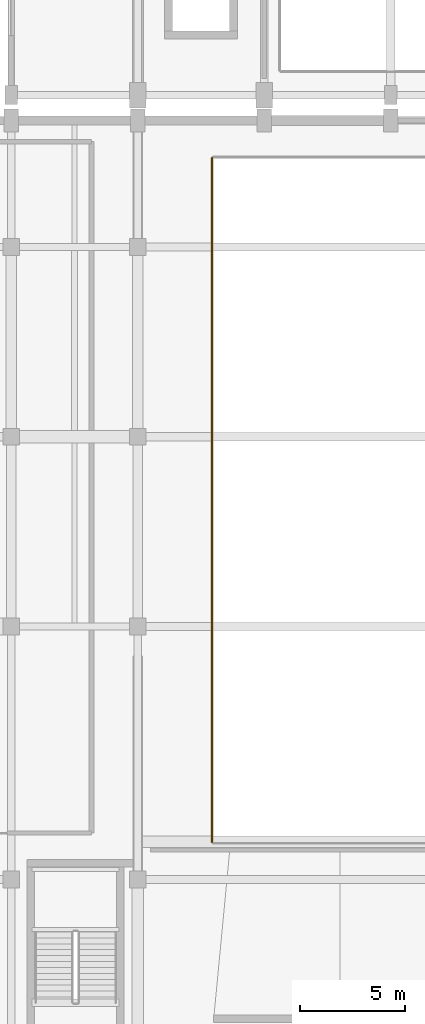
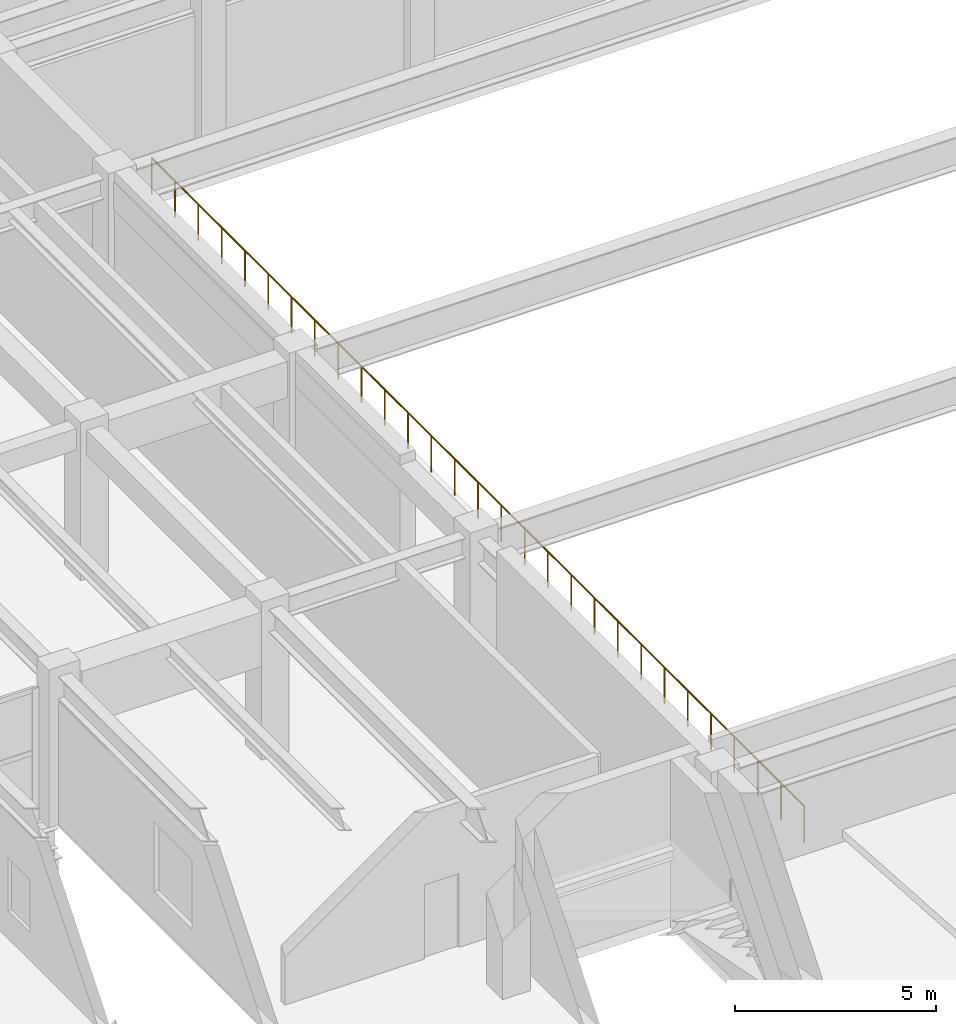
# One storey, part 89 of 96: 1 railing.
"""IFC4 building model written with IfcOpenShell, lengths in metres."""

from ifc_helpers import new_model, si_unit, direction, frame, origin, origin_2d, place, context, subcontext, project, spatial, circle, extrude, material, type_object, element, save


model = new_model("IFC4")

# Units and contexts
model_context = context("Model", 3, precision=1e-05, world=origin(), true_north=direction((0.0, 1.0)))
body_context = subcontext(model_context, "Body", "Model", "MODEL_VIEW")
ifc_project = project(units=[si_unit("LENGTHUNIT", "METRE"), si_unit("AREAUNIT", "SQUARE_METRE"), si_unit("VOLUMEUNIT", "CUBIC_METRE"), si_unit("PLANEANGLEUNIT", "RADIAN"), si_unit("MASSUNIT", "GRAM", prefix="KILO")], contexts=[model_context])

# Site, building, storey
site_placement = place(None, origin())
site = spatial("IfcSite", under=ifc_project, at=site_placement, CompositionType="ELEMENT")
building_placement = place(site_placement, origin())
building = spatial("IfcBuilding", under=site, at=building_placement, Name="Vaelkrest Opera House", CompositionType="ELEMENT")
storey_placement = place(building_placement, frame((0.0, 0.0, 5.39990234375)))
storey = spatial("IfcBuildingStorey", under=building, at=storey_placement, Name="L01", CompositionType="ELEMENT", Elevation=5.39990234375)

# Railing
ifc_material = material(Name="Dark bronze anodized aluminium", Category="aluminium")
railing_type = type_object("IfcRailingType", Name="BL01", PredefinedType="BALUSTRADE", material=ifc_material)
railing_placement = place(storey_placement, frame((-14.47998046875, 14.43994140625, 0.0)))
element("IfcRailing", 1, at=railing_placement, inside=storey, type_object=railing_type, Name="Atrium/stage void guard V1 L01-1 seg 4", PredefinedType="BALUSTRADE", context=body_context, shape_type="SweptSolid", body=[
    extrude(circle(Radius=0.02392578125, at=origin_2d()), frame((0.0, 0.0, 1.09619140625), z_axis=(0.0, -1.0, 0.0), x_axis=(1.0, 0.0, 0.0)), (0.0, 0.0, 1.0), 32.47998046875),
    extrude(circle(Radius=0.02099609375, at=origin_2d()), origin(), (0.0, 0.0, 1.0), 1.072021484375),
    extrude(circle(Radius=0.02099609375, at=origin_2d()), frame((0.0, -1.159912109375, 0.0)), (0.0, 0.0, 1.0), 1.072021484375),
    extrude(circle(Radius=0.02099609375, at=origin_2d()), frame((0.0, -2.320068359375, 0.0)), (0.0, 0.0, 1.0), 1.072021484375),
    extrude(circle(Radius=0.02099609375, at=origin_2d()), frame((0.0, -3.47998046875, 0.0)), (0.0, 0.0, 1.0), 1.072021484375),
    extrude(circle(Radius=0.02099609375, at=origin_2d()), frame((0.0, -4.639892578125, 0.0)), (0.0, 0.0, 1.0), 1.072021484375),
    extrude(circle(Radius=0.02099609375, at=origin_2d()), frame((0.0, -5.800048828125, 0.0)), (0.0, 0.0, 1.0), 1.072021484375),
    extrude(circle(Radius=0.02099609375, at=origin_2d()), frame((0.0, -6.9599609375, 0.0)), (0.0, 0.0, 1.0), 1.072021484375),
    extrude(circle(Radius=0.02099609375, at=origin_2d()), frame((0.0, -8.1201171875, 0.0)), (0.0, 0.0, 1.0), 1.072021484375),
    extrude(circle(Radius=0.02099609375, at=origin_2d()), frame((0.0, -9.280029296875, 0.0)), (0.0, 0.0, 1.0), 1.072021484375),
    extrude(circle(Radius=0.02099609375, at=origin_2d()), frame((0.0, -10.43994140625, 0.0)), (0.0, 0.0, 1.0), 1.072021484375),
    extrude(circle(Radius=0.02099609375, at=origin_2d()), frame((0.0, -11.60009765625, 0.0)), (0.0, 0.0, 1.0), 1.072021484375),
    extrude(circle(Radius=0.02099609375, at=origin_2d()), frame((0.0, -12.760009765625, 0.0)), (0.0, 0.0, 1.0), 1.072021484375),
    extrude(circle(Radius=0.02099609375, at=origin_2d()), frame((0.0, -13.919921875, 0.0)), (0.0, 0.0, 1.0), 1.072021484375),
    extrude(circle(Radius=0.02099609375, at=origin_2d()), frame((0.0, -15.080078125, 0.0)), (0.0, 0.0, 1.0), 1.072021484375),
    extrude(circle(Radius=0.02099609375, at=origin_2d()), frame((0.0, -16.239990234375, 0.0)), (0.0, 0.0, 1.0), 1.072021484375),
    extrude(circle(Radius=0.02099609375, at=origin_2d()), frame((0.0, -17.39990234375, 0.0)), (0.0, 0.0, 1.0), 1.072021484375),
    extrude(circle(Radius=0.02099609375, at=origin_2d()), frame((0.0, -18.56005859375, 0.0)), (0.0, 0.0, 1.0), 1.072021484375),
    extrude(circle(Radius=0.02099609375, at=origin_2d()), frame((0.0, -19.719970703125, 0.0)), (0.0, 0.0, 1.0), 1.072021484375),
    extrude(circle(Radius=0.02099609375, at=origin_2d()), frame((0.0, -20.8798828125, 0.0)), (0.0, 0.0, 1.0), 1.072021484375),
    extrude(circle(Radius=0.02099609375, at=origin_2d()), frame((0.0, -22.0400390625, 0.0)), (0.0, 0.0, 1.0), 1.072021484375),
    extrude(circle(Radius=0.02099609375, at=origin_2d()), frame((0.0, -23.199951171875, 0.0)), (0.0, 0.0, 1.0), 1.072021484375),
    extrude(circle(Radius=0.02099609375, at=origin_2d()), frame((0.0, -24.35986328125, 0.0)), (0.0, 0.0, 1.0), 1.072021484375),
    extrude(circle(Radius=0.02099609375, at=origin_2d()), frame((0.0, -25.52001953125, 0.0)), (0.0, 0.0, 1.0), 1.072021484375),
    extrude(circle(Radius=0.02099609375, at=origin_2d()), frame((0.0, -26.679931640625, 0.0)), (0.0, 0.0, 1.0), 1.072021484375),
    extrude(circle(Radius=0.02099609375, at=origin_2d()), frame((0.0, -27.840087890625, 0.0)), (0.0, 0.0, 1.0), 1.072021484375),
    extrude(circle(Radius=0.02099609375, at=origin_2d()), frame((0.0, -29.0, 0.0)), (0.0, 0.0, 1.0), 1.072021484375),
    extrude(circle(Radius=0.02099609375, at=origin_2d()), frame((0.0, -30.159912109375, 0.0)), (0.0, 0.0, 1.0), 1.072021484375),
    extrude(circle(Radius=0.02099609375, at=origin_2d()), frame((0.0, -31.320068359375, 0.0)), (0.0, 0.0, 1.0), 1.072021484375),
    extrude(circle(Radius=0.02099609375, at=origin_2d()), frame((0.0, -32.47998046875, 0.0)), (0.0, 0.0, 1.0), 1.072021484375),
])

save(model, "model.ifc")
